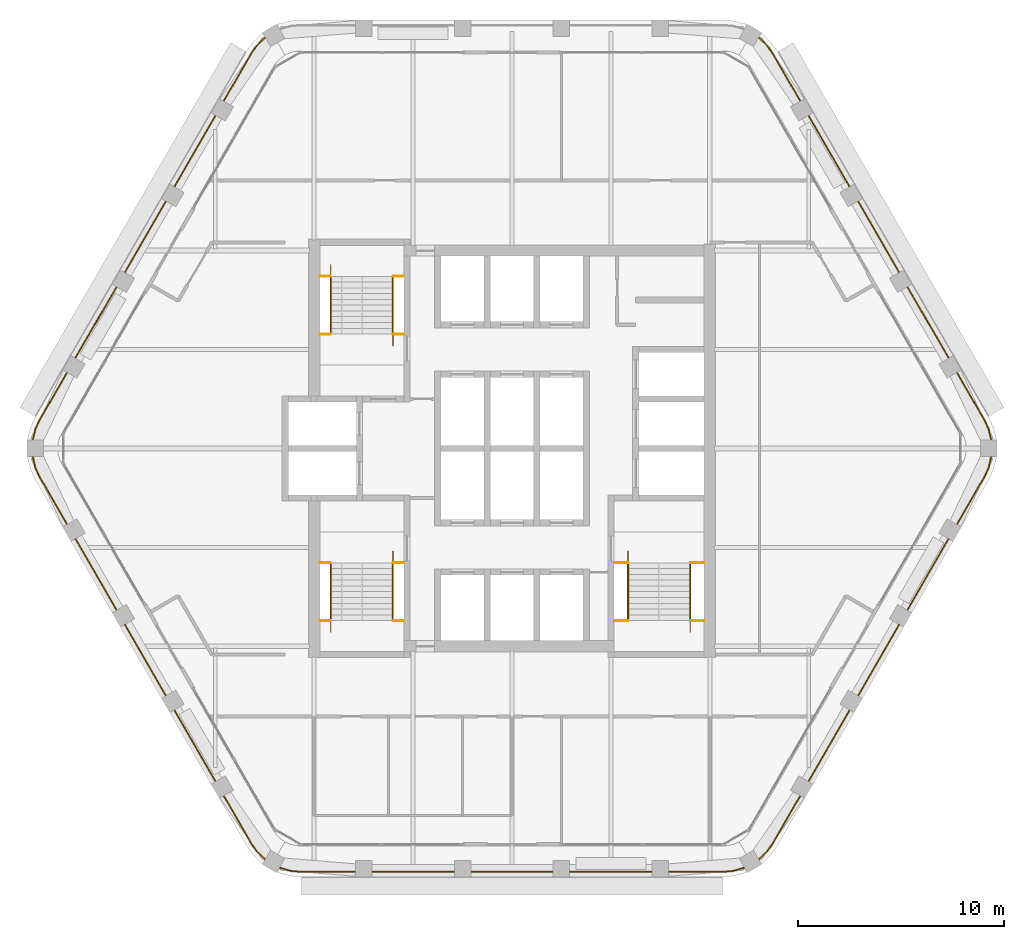
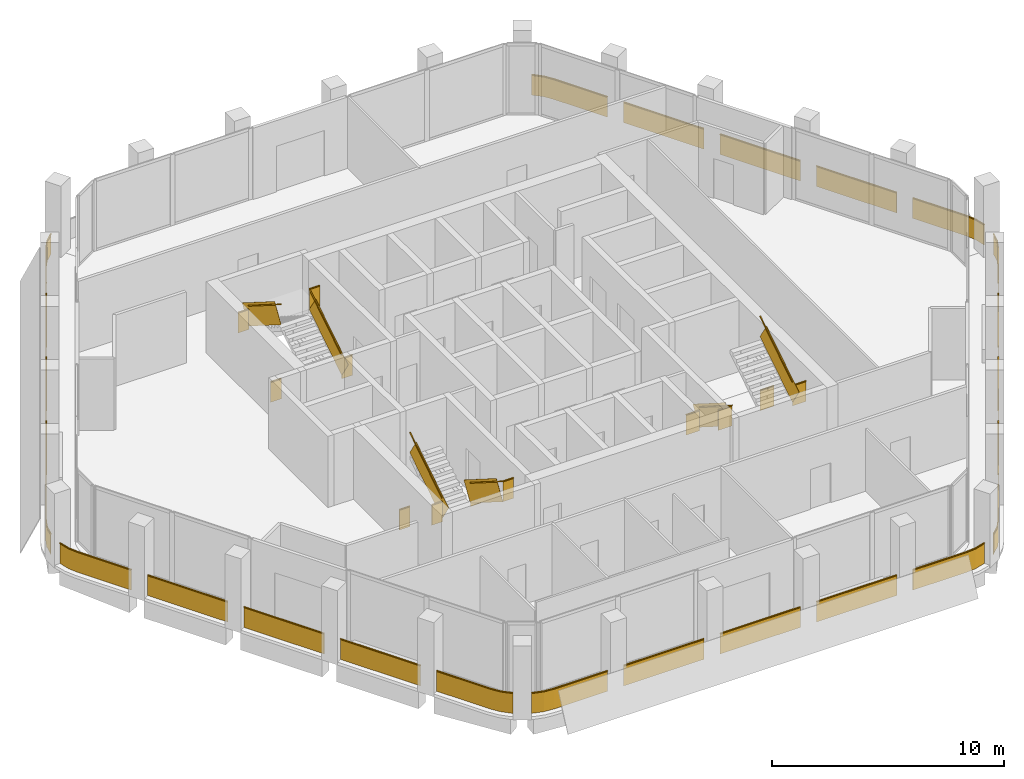
# One storey, part 12 of 13: 11 railings.
"""IFC4 building model written with IfcOpenShell, lengths in metres."""

from ifc_helpers import new_model, si_unit, direction, frame, frame_2d, origin, origin_2d, place, context, subcontext, project, spatial, rectangle, extrude, material, type_object, element, save


model = new_model("IFC4")

# Units and contexts
model_context = context("Model", 3, precision=1e-05, world=origin(), true_north=direction((0.0, 1.0)))
body_context = subcontext(model_context, "Body", "Model", "MODEL_VIEW")
ifc_project = project(units=[si_unit("LENGTHUNIT", "METRE"), si_unit("AREAUNIT", "SQUARE_METRE"), si_unit("VOLUMEUNIT", "CUBIC_METRE"), si_unit("PLANEANGLEUNIT", "RADIAN"), si_unit("MASSUNIT", "GRAM", prefix="KILO")], contexts=[model_context])

# Site, building, storey
site_placement = place(None, origin())
site = spatial("IfcSite", under=ifc_project, at=site_placement, CompositionType="ELEMENT")
building_placement = place(site_placement, origin())
building = spatial("IfcBuilding", under=site, at=building_placement, Name="Kolab Exchange Tower", CompositionType="ELEMENT")
storey_placement = place(building_placement, frame((0.0, 0.0, 273.5)))
storey = spatial("IfcBuildingStorey", under=building, at=storey_placement, Name="L61", CompositionType="ELEMENT", Elevation=273.5)

# Railings
ifc_material_1 = material(Name="Stainless steel 316", Category="steel")
railing_type_1 = type_object("IfcRailingType", Name="GUARD 1100", PredefinedType="GUARDRAIL", material=ifc_material_1)
railing_1_placement = place(storey_placement, frame((-9.324951171875, 5.550048828125, 0.0)))
element("IfcRailing", 1, at=railing_1_placement, inside=storey, type_object=railing_type_1, Name="Guard ST1", PredefinedType="GUARDRAIL", context=body_context, shape_type="SweptSolid", body=[
    extrude(rectangle(XDim=0.05, YDim=0.05, at=origin_2d()), frame((0.0, 0.0, 1.0751953125), z_axis=(1.0, 0.0, 0.0), x_axis=(0.0, 1.0, 0.0)), (0.0, 0.0, 1.0), 0.52734375),
    extrude(rectangle(XDim=0.012, YDim=1.05009765625, at=frame_2d((0.0, 0.525146484375))), frame((0.0, 0.0, 0.0), z_axis=(1.0, 0.0, 0.0), x_axis=(0.0, 1.0, 0.0)), (0.0, 0.0, 1.0), 0.52734375),
    extrude(rectangle(XDim=0.05, YDim=0.05, at=origin_2d()), frame((3.54736328125, 0.0, 1.0751953125), z_axis=(1.0, 0.0, 0.0), x_axis=(0.0, 1.0, 0.0)), (0.0, 0.0, 1.0), 0.527587890625),
    extrude(rectangle(XDim=0.012, YDim=1.05009765625, at=frame_2d((0.0, 0.525146484375))), frame((3.54736328125, 0.0, 0.0), z_axis=(1.0, 0.0, 0.0), x_axis=(0.0, 1.0, 0.0)), (0.0, 0.0, 1.0), 0.527587890625),
    extrude(rectangle(XDim=0.05, YDim=0.05, at=origin_2d()), frame((0.0, 2.800048828125, 3.025146484375), z_axis=(1.0, 0.0, 0.0), x_axis=(0.0, 1.0, 0.0)), (0.0, 0.0, 1.0), 0.52734375),
    extrude(rectangle(XDim=0.012, YDim=1.05009765625, at=frame_2d((0.0, 0.525146484375))), frame((0.0, 2.800048828125, 1.949951171875), z_axis=(1.0, 0.0, 0.0), x_axis=(0.0, 1.0, 0.0)), (0.0, 0.0, 1.0), 0.52734375),
    extrude(rectangle(XDim=0.05, YDim=0.05, at=origin_2d()), frame((3.54736328125, 2.800048828125, 3.025146484375), z_axis=(1.0, 0.0, 0.0), x_axis=(0.0, 1.0, 0.0)), (0.0, 0.0, 1.0), 0.527587890625),
    extrude(rectangle(XDim=0.012, YDim=1.05009765625, at=frame_2d((0.0, 0.525146484375))), frame((3.54736328125, 2.800048828125, 1.949951171875), z_axis=(1.0, 0.0, 0.0), x_axis=(0.0, 1.0, 0.0)), (0.0, 0.0, 1.0), 0.527587890625),
])
railing_2_placement = place(storey_placement, frame((-5.777587890625, 5.550048828125, 0.17724609375)))
element("IfcRailing", 2, at=railing_2_placement, inside=storey, type_object=railing_type_1, Name="Handrail guard ST1", PredefinedType="GUARDRAIL", context=body_context, shape_type="SweptSolid", body=[
    extrude(rectangle(XDim=0.05, YDim=0.05, at=origin_2d()), frame((0.0, 0.0, 1.0751953125), z_axis=(0.0, 0.844908973607, 0.534910110503), x_axis=(-1.0, 0.0, 0.0)), (0.0, 0.0, 1.0), 3.31396484375),
    extrude(rectangle(XDim=0.012, YDim=1.05009765625, at=frame_2d((0.0, 0.525146484375))), frame((0.0, 0.0, 0.0), z_axis=(0.0, 0.844908973607, 0.534910110503), x_axis=(-1.0, 0.0, 0.0)), (0.0, 0.0, 1.0), 3.31396484375),
    extrude(rectangle(XDim=0.05, YDim=0.05, at=origin_2d()), frame((-3.02001953125, 2.800048828125, 3.025146484375), z_axis=(0.0, -0.844908973607, 0.534910110503), x_axis=(1.0, 0.0, 0.0)), (0.0, 0.0, 1.0), 3.31396484375),
    extrude(rectangle(XDim=0.012, YDim=1.05009765625, at=frame_2d((0.0, 0.525146484375))), frame((-3.02001953125, 2.800048828125, 1.949951171875), z_axis=(0.0, -0.844908973607, 0.534910110503), x_axis=(1.0, 0.0, 0.0)), (0.0, 0.0, 1.0), 3.31396484375),
])
railing_3_placement = place(storey_placement, frame((-9.324951171875, -5.550048828125, 0.0)))
element("IfcRailing", 3, at=railing_3_placement, inside=storey, type_object=railing_type_1, Name="Guard ST3", PredefinedType="GUARDRAIL", context=body_context, shape_type="SweptSolid", body=[
    extrude(rectangle(XDim=0.05, YDim=0.05, at=origin_2d()), frame((0.0, 0.0, 1.0751953125), z_axis=(1.0, 0.0, 0.0), x_axis=(0.0, 1.0, 0.0)), (0.0, 0.0, 1.0), 0.52734375),
    extrude(rectangle(XDim=0.012, YDim=1.05009765625, at=frame_2d((0.0, 0.525146484375))), frame((0.0, 0.0, 0.0), z_axis=(1.0, 0.0, 0.0), x_axis=(0.0, 1.0, 0.0)), (0.0, 0.0, 1.0), 0.52734375),
    extrude(rectangle(XDim=0.05, YDim=0.05, at=origin_2d()), frame((3.54736328125, 0.0, 1.0751953125), z_axis=(1.0, 0.0, 0.0), x_axis=(0.0, 1.0, 0.0)), (0.0, 0.0, 1.0), 0.527587890625),
    extrude(rectangle(XDim=0.012, YDim=1.05009765625, at=frame_2d((0.0, 0.525146484375))), frame((3.54736328125, 0.0, 0.0), z_axis=(1.0, 0.0, 0.0), x_axis=(0.0, 1.0, 0.0)), (0.0, 0.0, 1.0), 0.527587890625),
    extrude(rectangle(XDim=0.05, YDim=0.05, at=origin_2d()), frame((0.0, -2.800048828125, 3.025146484375), z_axis=(1.0, 0.0, 0.0), x_axis=(0.0, 1.0, 0.0)), (0.0, 0.0, 1.0), 0.52734375),
    extrude(rectangle(XDim=0.012, YDim=1.05009765625, at=frame_2d((0.0, 0.525146484375))), frame((0.0, -2.800048828125, 1.949951171875), z_axis=(1.0, 0.0, 0.0), x_axis=(0.0, 1.0, 0.0)), (0.0, 0.0, 1.0), 0.52734375),
    extrude(rectangle(XDim=0.05, YDim=0.05, at=origin_2d()), frame((3.54736328125, -2.800048828125, 3.025146484375), z_axis=(1.0, 0.0, 0.0), x_axis=(0.0, 1.0, 0.0)), (0.0, 0.0, 1.0), 0.527587890625),
    extrude(rectangle(XDim=0.012, YDim=1.05009765625, at=frame_2d((0.0, 0.525146484375))), frame((3.54736328125, -2.800048828125, 1.949951171875), z_axis=(1.0, 0.0, 0.0), x_axis=(0.0, 1.0, 0.0)), (0.0, 0.0, 1.0), 0.527587890625),
])
railing_4_placement = place(storey_placement, frame((-5.777587890625, -5.550048828125, 0.17724609375)))
element("IfcRailing", 4, at=railing_4_placement, inside=storey, type_object=railing_type_1, Name="Handrail guard ST3", PredefinedType="GUARDRAIL", context=body_context, shape_type="SweptSolid", body=[
    extrude(rectangle(XDim=0.05, YDim=0.05, at=origin_2d()), frame((0.0, 0.0, 1.0751953125), z_axis=(0.0, -0.844908973607, 0.534910110503), x_axis=(1.0, 0.0, 0.0)), (0.0, 0.0, 1.0), 3.31396484375),
    extrude(rectangle(XDim=0.012, YDim=1.05009765625, at=frame_2d((0.0, 0.525146484375))), frame((0.0, 0.0, 0.0), z_axis=(0.0, -0.844908973607, 0.534910110503), x_axis=(1.0, 0.0, 0.0)), (0.0, 0.0, 1.0), 3.31396484375),
    extrude(rectangle(XDim=0.05, YDim=0.05, at=origin_2d()), frame((-3.02001953125, -2.800048828125, 3.025146484375), z_axis=(0.0, 0.844908973607, 0.534910110503), x_axis=(-1.0, 0.0, 0.0)), (0.0, 0.0, 1.0), 3.31396484375),
    extrude(rectangle(XDim=0.012, YDim=1.05009765625, at=frame_2d((0.0, 0.525146484375))), frame((-3.02001953125, -2.800048828125, 1.949951171875), z_axis=(0.0, 0.844908973607, 0.534910110503), x_axis=(-1.0, 0.0, 0.0)), (0.0, 0.0, 1.0), 3.31396484375),
])
railing_5_placement = place(storey_placement, frame((4.949951171875, -5.550048828125, 0.0)))
element("IfcRailing", 5, at=railing_5_placement, inside=storey, type_object=railing_type_1, Name="Guard ST2", PredefinedType="GUARDRAIL", context=body_context, shape_type="SweptSolid", body=[
    extrude(rectangle(XDim=0.05, YDim=0.05, at=origin_2d()), frame((0.0, 0.0, 1.0751953125), z_axis=(1.0, 0.0, 0.0), x_axis=(0.0, 1.0, 0.0)), (0.0, 0.0, 1.0), 0.677490234375),
    extrude(rectangle(XDim=0.012, YDim=1.05009765625, at=frame_2d((0.0, 0.525146484375))), frame((0.0, 0.0, 0.0), z_axis=(1.0, 0.0, 0.0), x_axis=(0.0, 1.0, 0.0)), (0.0, 0.0, 1.0), 0.677490234375),
    extrude(rectangle(XDim=0.05, YDim=0.05, at=origin_2d()), frame((3.697509765625, 0.0, 1.0751953125), z_axis=(1.0, 0.0, 0.0), x_axis=(0.0, 1.0, 0.0)), (0.0, 0.0, 1.0), 0.677490234375),
    extrude(rectangle(XDim=0.012, YDim=1.05009765625, at=frame_2d((0.0, 0.525146484375))), frame((3.697509765625, 0.0, 0.0), z_axis=(1.0, 0.0, 0.0), x_axis=(0.0, 1.0, 0.0)), (0.0, 0.0, 1.0), 0.677490234375),
    extrude(rectangle(XDim=0.05, YDim=0.05, at=origin_2d()), frame((0.0, -2.800048828125, 3.025146484375), z_axis=(1.0, 0.0, 0.0), x_axis=(0.0, 1.0, 0.0)), (0.0, 0.0, 1.0), 0.677490234375),
    extrude(rectangle(XDim=0.012, YDim=1.05009765625, at=frame_2d((0.0, 0.525146484375))), frame((0.0, -2.800048828125, 1.949951171875), z_axis=(1.0, 0.0, 0.0), x_axis=(0.0, 1.0, 0.0)), (0.0, 0.0, 1.0), 0.677490234375),
    extrude(rectangle(XDim=0.05, YDim=0.05, at=origin_2d()), frame((3.697509765625, -2.800048828125, 3.025146484375), z_axis=(1.0, 0.0, 0.0), x_axis=(0.0, 1.0, 0.0)), (0.0, 0.0, 1.0), 0.677490234375),
    extrude(rectangle(XDim=0.012, YDim=1.05009765625, at=frame_2d((0.0, 0.525146484375))), frame((3.697509765625, -2.800048828125, 1.949951171875), z_axis=(1.0, 0.0, 0.0), x_axis=(0.0, 1.0, 0.0)), (0.0, 0.0, 1.0), 0.677490234375),
])
railing_6_placement = place(storey_placement, frame((5.62744140625, -5.550048828125, 0.17724609375)))
element("IfcRailing", 6, at=railing_6_placement, inside=storey, type_object=railing_type_1, Name="Handrail guard ST2", PredefinedType="GUARDRAIL", context=body_context, shape_type="SweptSolid", body=[
    extrude(rectangle(XDim=0.05, YDim=0.05, at=origin_2d()), frame((0.0, 0.0, 1.0751953125), z_axis=(0.0, -0.844908973607, 0.534910110503), x_axis=(1.0, 0.0, 0.0)), (0.0, 0.0, 1.0), 3.31396484375),
    extrude(rectangle(XDim=0.012, YDim=1.05009765625, at=frame_2d((0.0, 0.525146484375))), frame((0.0, 0.0, 0.0), z_axis=(0.0, -0.844908973607, 0.534910110503), x_axis=(1.0, 0.0, 0.0)), (0.0, 0.0, 1.0), 3.31396484375),
    extrude(rectangle(XDim=0.05, YDim=0.05, at=origin_2d()), frame((3.02001953125, -2.800048828125, 3.025146484375), z_axis=(0.0, 0.844908973607, 0.534910110503), x_axis=(-1.0, 0.0, 0.0)), (0.0, 0.0, 1.0), 3.31396484375),
    extrude(rectangle(XDim=0.012, YDim=1.05009765625, at=frame_2d((0.0, 0.525146484375))), frame((3.02001953125, -2.800048828125, 1.949951171875), z_axis=(0.0, 0.844908973607, 0.534910110503), x_axis=(-1.0, 0.0, 0.0)), (0.0, 0.0, 1.0), 3.31396484375),
])
ifc_material_2 = material(Name="Steel S235", Category="steel")
railing_type_2 = type_object("IfcRailingType", Name="GUARD 1100 GLASS BALUSTRADE AND STEEL TOP RAIL", PredefinedType="GUARDRAIL", material=ifc_material_2)
railing_7_placement = place(storey_placement, frame((23.2509765625, 0.3984375, 0.0)))
element("IfcRailing", 7, at=railing_7_placement, inside=storey, type_object=railing_type_2, Name="Guard", PredefinedType="GUARDRAIL", context=body_context, shape_type="SweptSolid", body=[
    extrude(rectangle(XDim=0.05, YDim=0.05, at=origin_2d()), frame((0.0, 0.0, 1.0751953125), z_axis=(-0.234597748196, 0.972092534968, 0.0), x_axis=(-0.972092534968, -0.234597748196, 0.0)), (0.0, 0.0, 1.0), 0.557861328125),
    extrude(rectangle(XDim=0.012, YDim=1.05009765625, at=frame_2d((0.0, 0.525146484375))), frame((0.0, 0.0, 0.0), z_axis=(-0.234597748196, 0.972092534968, 0.0), x_axis=(-0.972092534968, -0.234597748196, 0.0)), (0.0, 0.0, 1.0), 0.557861328125),
    extrude(rectangle(XDim=0.05, YDim=0.05, at=origin_2d()), frame((-0.130859375, 0.542236328125, 1.0751953125), z_axis=(-0.422801802984, 0.906222177721, 0.0), x_axis=(-0.906222177721, -0.422801802984, 0.0)), (0.0, 0.0, 1.0), 0.479248046875),
    extrude(rectangle(XDim=0.012, YDim=1.05009765625, at=frame_2d((0.0, 0.525146484375))), frame((-0.130859375, 0.542236328125, 0.0), z_axis=(-0.422801802984, 0.906222177721, 0.0), x_axis=(-0.906222177721, -0.422801802984, 0.0)), (0.0, 0.0, 1.0), 0.479248046875),
    extrude(rectangle(XDim=0.05, YDim=0.05, at=origin_2d()), frame((-0.33349609375, 0.9765625, 1.0751953125), z_axis=(-0.499997052475, 0.866027105532, 0.0), x_axis=(-0.866027105532, -0.499997052475, 0.0)), (0.0, 0.0, 1.0), 2.66796875),
    extrude(rectangle(XDim=0.012, YDim=1.05009765625, at=frame_2d((0.0, 0.525146484375))), frame((-0.33349609375, 0.9765625, 0.0), z_axis=(-0.499997052475, 0.866027105532, 0.0), x_axis=(-0.866027105532, -0.499997052475, 0.0)), (0.0, 0.0, 1.0), 2.66796875),
    extrude(rectangle(XDim=0.05, YDim=0.05, at=origin_2d()), frame((-2.0673828125, 3.97998046875, 1.0751953125), z_axis=(-0.49999894854, 0.866026010844, 0.0), x_axis=(-0.866026010844, -0.49999894854, 0.0)), (0.0, 0.0, 1.0), 4.0),
    extrude(rectangle(XDim=0.012, YDim=1.05009765625, at=frame_2d((0.0, 0.525146484375))), frame((-2.0673828125, 3.97998046875, 0.0), z_axis=(-0.49999894854, 0.866026010844, 0.0), x_axis=(-0.866026010844, -0.49999894854, 0.0)), (0.0, 0.0, 1.0), 4.0),
    extrude(rectangle(XDim=0.05, YDim=0.05, at=origin_2d()), frame((-4.467529296875, 8.13671875, 1.0751953125), z_axis=(-0.49999894854, 0.866026010844, 0.0), x_axis=(-0.866026010844, -0.49999894854, 0.0)), (0.0, 0.0, 1.0), 4.0),
    extrude(rectangle(XDim=0.012, YDim=1.05009765625, at=frame_2d((0.0, 0.525146484375))), frame((-4.467529296875, 8.13671875, 0.0), z_axis=(-0.49999894854, 0.866026010844, 0.0), x_axis=(-0.866026010844, -0.49999894854, 0.0)), (0.0, 0.0, 1.0), 4.0),
    extrude(rectangle(XDim=0.05, YDim=0.05, at=origin_2d()), frame((-6.867431640625, 12.293701171875, 1.0751953125), z_axis=(-0.49999894854, 0.866026010844, 0.0), x_axis=(-0.866026010844, -0.49999894854, 0.0)), (0.0, 0.0, 1.0), 4.0),
    extrude(rectangle(XDim=0.012, YDim=1.05009765625, at=frame_2d((0.0, 0.525146484375))), frame((-6.867431640625, 12.293701171875, 0.0), z_axis=(-0.49999894854, 0.866026010844, 0.0), x_axis=(-0.866026010844, -0.49999894854, 0.0)), (0.0, 0.0, 1.0), 4.0),
    extrude(rectangle(XDim=0.05, YDim=0.05, at=origin_2d()), frame((-9.267578125, 16.45068359375, 1.0751953125), z_axis=(-0.499997052475, 0.866027105532, 0.0), x_axis=(-0.866027105532, -0.499997052475, 0.0)), (0.0, 0.0, 1.0), 2.66796875),
    extrude(rectangle(XDim=0.012, YDim=1.05009765625, at=frame_2d((0.0, 0.525146484375))), frame((-9.267578125, 16.45068359375, 0.0), z_axis=(-0.499997052475, 0.866027105532, 0.0), x_axis=(-0.866027105532, -0.499997052475, 0.0)), (0.0, 0.0, 1.0), 2.66796875),
    extrude(rectangle(XDim=0.05, YDim=0.05, at=origin_2d()), frame((-10.6015625, 18.76123046875, 1.0751953125), z_axis=(-0.573599091554, 0.819136180478, 0.0), x_axis=(-0.819136180478, -0.573599091554, 0.0)), (0.0, 0.0, 1.0), 0.479248046875),
    extrude(rectangle(XDim=0.012, YDim=1.05009765625, at=frame_2d((0.0, 0.525146484375))), frame((-10.6015625, 18.76123046875, 0.0), z_axis=(-0.573599091554, 0.819136180478, 0.0), x_axis=(-0.819136180478, -0.573599091554, 0.0)), (0.0, 0.0, 1.0), 0.479248046875),
    extrude(rectangle(XDim=0.05, YDim=0.05, at=origin_2d()), frame((-10.87646484375, 19.15380859375, 1.0751953125), z_axis=(-0.724189990991, 0.689600505327, 0.0), x_axis=(-0.689600505327, -0.724189990991, 0.0)), (0.0, 0.0, 1.0), 0.5576171875),
    extrude(rectangle(XDim=0.012, YDim=1.05009765625, at=frame_2d((0.0, 0.525146484375))), frame((-10.87646484375, 19.15380859375, 0.0), z_axis=(-0.724189990991, 0.689600505327, 0.0), x_axis=(-0.689600505327, -0.724189990991, 0.0)), (0.0, 0.0, 1.0), 0.5576171875),
])
railing_8_placement = place(storey_placement, frame((11.970703125, -19.936767578125, 0.0)))
element("IfcRailing", 8, at=railing_8_placement, inside=storey, type_object=railing_type_2, Name="Guard", PredefinedType="GUARDRAIL", context=body_context, shape_type="SweptSolid", body=[
    extrude(rectangle(XDim=0.05, YDim=0.05, at=origin_2d()), frame((0.0, 0.0, 1.0751953125), z_axis=(0.724189990991, 0.689600505327, 0.0), x_axis=(-0.689600505327, 0.724189990991, 0.0)), (0.0, 0.0, 1.0), 0.5576171875),
    extrude(rectangle(XDim=0.012, YDim=1.05009765625, at=frame_2d((0.0, 0.525146484375))), frame((0.0, 0.0, 0.0), z_axis=(0.724189990991, 0.689600505327, 0.0), x_axis=(-0.689600505327, 0.724189990991, 0.0)), (0.0, 0.0, 1.0), 0.5576171875),
    extrude(rectangle(XDim=0.05, YDim=0.05, at=origin_2d()), frame((0.40380859375, 0.384521484375, 1.0751953125), z_axis=(0.573599091554, 0.819136180478, 0.0), x_axis=(-0.819136180478, 0.573599091554, 0.0)), (0.0, 0.0, 1.0), 0.479248046875),
    extrude(rectangle(XDim=0.012, YDim=1.05009765625, at=frame_2d((0.0, 0.525146484375))), frame((0.40380859375, 0.384521484375, 0.0), z_axis=(0.573599091554, 0.819136180478, 0.0), x_axis=(-0.819136180478, 0.573599091554, 0.0)), (0.0, 0.0, 1.0), 0.479248046875),
    extrude(rectangle(XDim=0.05, YDim=0.05, at=origin_2d()), frame((0.6787109375, 0.777099609375, 1.0751953125), z_axis=(0.499997052475, 0.866027105532, 0.0), x_axis=(-0.866027105532, 0.499997052475, 0.0)), (0.0, 0.0, 1.0), 2.66796875),
    extrude(rectangle(XDim=0.012, YDim=1.05009765625, at=frame_2d((0.0, 0.525146484375))), frame((0.6787109375, 0.777099609375, 0.0), z_axis=(0.499997052475, 0.866027105532, 0.0), x_axis=(-0.866027105532, 0.499997052475, 0.0)), (0.0, 0.0, 1.0), 2.66796875),
    extrude(rectangle(XDim=0.05, YDim=0.05, at=origin_2d()), frame((2.412841796875, 3.780517578125, 1.0751953125), z_axis=(0.49999894854, 0.866026010844, 0.0), x_axis=(-0.866026010844, 0.49999894854, 0.0)), (0.0, 0.0, 1.0), 4.0),
    extrude(rectangle(XDim=0.012, YDim=1.05009765625, at=frame_2d((0.0, 0.525146484375))), frame((2.412841796875, 3.780517578125, 0.0), z_axis=(0.49999894854, 0.866026010844, 0.0), x_axis=(-0.866026010844, 0.49999894854, 0.0)), (0.0, 0.0, 1.0), 4.0),
    extrude(rectangle(XDim=0.05, YDim=0.05, at=origin_2d()), frame((4.812744140625, 7.9375, 1.0751953125), z_axis=(0.49999894854, 0.866026010844, 0.0), x_axis=(-0.866026010844, 0.49999894854, 0.0)), (0.0, 0.0, 1.0), 4.0),
    extrude(rectangle(XDim=0.012, YDim=1.05009765625, at=frame_2d((0.0, 0.525146484375))), frame((4.812744140625, 7.9375, 0.0), z_axis=(0.49999894854, 0.866026010844, 0.0), x_axis=(-0.866026010844, 0.49999894854, 0.0)), (0.0, 0.0, 1.0), 4.0),
    extrude(rectangle(XDim=0.05, YDim=0.05, at=origin_2d()), frame((7.212890625, 12.09423828125, 1.0751953125), z_axis=(0.49999894854, 0.866026010844, 0.0), x_axis=(-0.866026010844, 0.49999894854, 0.0)), (0.0, 0.0, 1.0), 4.0),
    extrude(rectangle(XDim=0.012, YDim=1.05009765625, at=frame_2d((0.0, 0.525146484375))), frame((7.212890625, 12.09423828125, 0.0), z_axis=(0.49999894854, 0.866026010844, 0.0), x_axis=(-0.866026010844, 0.49999894854, 0.0)), (0.0, 0.0, 1.0), 4.0),
    extrude(rectangle(XDim=0.05, YDim=0.05, at=origin_2d()), frame((9.61279296875, 16.251220703125, 1.0751953125), z_axis=(0.499997052475, 0.866027105532, 0.0), x_axis=(-0.866027105532, 0.499997052475, 0.0)), (0.0, 0.0, 1.0), 2.66796875),
    extrude(rectangle(XDim=0.012, YDim=1.05009765625, at=frame_2d((0.0, 0.525146484375))), frame((9.61279296875, 16.251220703125, 0.0), z_axis=(0.499997052475, 0.866027105532, 0.0), x_axis=(-0.866027105532, 0.499997052475, 0.0)), (0.0, 0.0, 1.0), 2.66796875),
    extrude(rectangle(XDim=0.05, YDim=0.05, at=origin_2d()), frame((10.94677734375, 18.561767578125, 1.0751953125), z_axis=(0.422801802984, 0.906222177721, 0.0), x_axis=(-0.906222177721, 0.422801802984, 0.0)), (0.0, 0.0, 1.0), 0.479248046875),
    extrude(rectangle(XDim=0.012, YDim=1.05009765625, at=frame_2d((0.0, 0.525146484375))), frame((10.94677734375, 18.561767578125, 0.0), z_axis=(0.422801802984, 0.906222177721, 0.0), x_axis=(-0.906222177721, 0.422801802984, 0.0)), (0.0, 0.0, 1.0), 0.479248046875),
    extrude(rectangle(XDim=0.05, YDim=0.05, at=origin_2d()), frame((11.1494140625, 18.99609375, 1.0751953125), z_axis=(0.234597748196, 0.972092534968, 0.0), x_axis=(-0.972092534968, 0.234597748196, 0.0)), (0.0, 0.0, 1.0), 0.557861328125),
    extrude(rectangle(XDim=0.012, YDim=1.05009765625, at=frame_2d((0.0, 0.525146484375))), frame((11.1494140625, 18.99609375, 0.0), z_axis=(0.234597748196, 0.972092534968, 0.0), x_axis=(-0.972092534968, 0.234597748196, 0.0)), (0.0, 0.0, 1.0), 0.557861328125),
])
railing_9_placement = place(storey_placement, frame((-11.280517578125, -20.335205078125, 0.0)))
element("IfcRailing", 9, at=railing_9_placement, inside=storey, type_object=railing_type_2, Name="Guard", PredefinedType="GUARDRAIL", context=body_context, shape_type="SweptSolid", body=[
    extrude(rectangle(XDim=0.05, YDim=0.05, at=origin_2d()), frame((0.0, 0.0, 1.0751953125), z_axis=(0.959212061764, -0.282687496304, 0.0), x_axis=(0.282687496304, 0.959212061764, 0.0)), (0.0, 0.0, 1.0), 0.557861328125),
    extrude(rectangle(XDim=0.012, YDim=1.05009765625, at=frame_2d((0.0, 0.525146484375))), frame((0.0, 0.0, 0.0), z_axis=(0.959212061764, -0.282687496304, 0.0), x_axis=(0.282687496304, 0.959212061764, 0.0)), (0.0, 0.0, 1.0), 0.557861328125),
    extrude(rectangle(XDim=0.05, YDim=0.05, at=origin_2d()), frame((0.53515625, -0.15771484375, 1.0751953125), z_axis=(0.996196482496, -0.087135344505, 0.0), x_axis=(0.087135344505, 0.996196482496, 0.0)), (0.0, 0.0, 1.0), 0.47900390625),
    extrude(rectangle(XDim=0.012, YDim=1.05009765625, at=frame_2d((0.0, 0.525146484375))), frame((0.53515625, -0.15771484375, 0.0), z_axis=(0.996196482496, -0.087135344505, 0.0), x_axis=(0.087135344505, 0.996196482496, 0.0)), (0.0, 0.0, 1.0), 0.47900390625),
    extrude(rectangle(XDim=0.05, YDim=0.05, at=origin_2d()), frame((1.012451171875, -0.199462890625, 1.0751953125), z_axis=(1.0, 0.0, 0.0), x_axis=(0.0, 1.0, 0.0)), (0.0, 0.0, 1.0), 2.66796875),
    extrude(rectangle(XDim=0.012, YDim=1.05009765625, at=frame_2d((0.0, 0.525146484375))), frame((1.012451171875, -0.199462890625, 0.0), z_axis=(1.0, 0.0, 0.0), x_axis=(0.0, 1.0, 0.0)), (0.0, 0.0, 1.0), 2.66796875),
    extrude(rectangle(XDim=0.05, YDim=0.05, at=origin_2d()), frame((4.48046875, -0.199462890625, 1.0751953125), z_axis=(1.0, 0.0, 0.0), x_axis=(0.0, 1.0, 0.0)), (0.0, 0.0, 1.0), 4.0),
    extrude(rectangle(XDim=0.012, YDim=1.05009765625, at=frame_2d((0.0, 0.525146484375))), frame((4.48046875, -0.199462890625, 0.0), z_axis=(1.0, 0.0, 0.0), x_axis=(0.0, 1.0, 0.0)), (0.0, 0.0, 1.0), 4.0),
    extrude(rectangle(XDim=0.05, YDim=0.05, at=origin_2d()), frame((9.280517578125, -0.199462890625, 1.0751953125), z_axis=(1.0, 0.0, 0.0), x_axis=(0.0, 1.0, 0.0)), (0.0, 0.0, 1.0), 4.0),
    extrude(rectangle(XDim=0.012, YDim=1.05009765625, at=frame_2d((0.0, 0.525146484375))), frame((9.280517578125, -0.199462890625, 0.0), z_axis=(1.0, 0.0, 0.0), x_axis=(0.0, 1.0, 0.0)), (0.0, 0.0, 1.0), 4.0),
    extrude(rectangle(XDim=0.05, YDim=0.05, at=origin_2d()), frame((14.08056640625, -0.199462890625, 1.0751953125), z_axis=(1.0, 0.0, 0.0), x_axis=(0.0, 1.0, 0.0)), (0.0, 0.0, 1.0), 4.0),
    extrude(rectangle(XDim=0.012, YDim=1.05009765625, at=frame_2d((0.0, 0.525146484375))), frame((14.08056640625, -0.199462890625, 0.0), z_axis=(1.0, 0.0, 0.0), x_axis=(0.0, 1.0, 0.0)), (0.0, 0.0, 1.0), 4.0),
    extrude(rectangle(XDim=0.05, YDim=0.05, at=origin_2d()), frame((18.880615234375, -0.199462890625, 1.0751953125), z_axis=(1.0, 0.0, 0.0), x_axis=(0.0, 1.0, 0.0)), (0.0, 0.0, 1.0), 2.66796875),
    extrude(rectangle(XDim=0.012, YDim=1.05009765625, at=frame_2d((0.0, 0.525146484375))), frame((18.880615234375, -0.199462890625, 0.0), z_axis=(1.0, 0.0, 0.0), x_axis=(0.0, 1.0, 0.0)), (0.0, 0.0, 1.0), 2.66796875),
    extrude(rectangle(XDim=0.05, YDim=0.05, at=origin_2d()), frame((21.548583984375, -0.199462890625, 1.0751953125), z_axis=(0.996196482496, 0.087135344505, 0.0), x_axis=(-0.087135344505, 0.996196482496, 0.0)), (0.0, 0.0, 1.0), 0.47900390625),
    extrude(rectangle(XDim=0.012, YDim=1.05009765625, at=frame_2d((0.0, 0.525146484375))), frame((21.548583984375, -0.199462890625, 0.0), z_axis=(0.996196482496, 0.087135344505, 0.0), x_axis=(-0.087135344505, 0.996196482496, 0.0)), (0.0, 0.0, 1.0), 0.47900390625),
    extrude(rectangle(XDim=0.05, YDim=0.05, at=origin_2d()), frame((22.02587890625, -0.15771484375, 1.0751953125), z_axis=(0.959212061764, 0.282687496304, 0.0), x_axis=(-0.282687496304, 0.959212061764, 0.0)), (0.0, 0.0, 1.0), 0.557861328125),
    extrude(rectangle(XDim=0.012, YDim=1.05009765625, at=frame_2d((0.0, 0.525146484375))), frame((22.02587890625, -0.15771484375, 0.0), z_axis=(0.959212061764, 0.282687496304, 0.0), x_axis=(-0.282687496304, 0.959212061764, 0.0)), (0.0, 0.0, 1.0), 0.557861328125),
])
railing_10_placement = place(storey_placement, frame((-23.2509765625, -0.3984375, 0.0)))
element("IfcRailing", 10, at=railing_10_placement, inside=storey, type_object=railing_type_2, Name="Guard", PredefinedType="GUARDRAIL", context=body_context, shape_type="SweptSolid", body=[
    extrude(rectangle(XDim=0.05, YDim=0.05, at=origin_2d()), frame((0.0, 0.0, 1.0751953125), z_axis=(0.234597748196, -0.972092534968, 0.0), x_axis=(0.972092534968, 0.234597748196, 0.0)), (0.0, 0.0, 1.0), 0.557861328125),
    extrude(rectangle(XDim=0.012, YDim=1.05009765625, at=frame_2d((0.0, 0.525146484375))), frame((0.0, 0.0, 0.0), z_axis=(0.234597748196, -0.972092534968, 0.0), x_axis=(0.972092534968, 0.234597748196, 0.0)), (0.0, 0.0, 1.0), 0.557861328125),
    extrude(rectangle(XDim=0.05, YDim=0.05, at=origin_2d()), frame((0.130859375, -0.542236328125, 1.0751953125), z_axis=(0.422801802984, -0.906222177721, 0.0), x_axis=(0.906222177721, 0.422801802984, 0.0)), (0.0, 0.0, 1.0), 0.479248046875),
    extrude(rectangle(XDim=0.012, YDim=1.05009765625, at=frame_2d((0.0, 0.525146484375))), frame((0.130859375, -0.542236328125, 0.0), z_axis=(0.422801802984, -0.906222177721, 0.0), x_axis=(0.906222177721, 0.422801802984, 0.0)), (0.0, 0.0, 1.0), 0.479248046875),
    extrude(rectangle(XDim=0.05, YDim=0.05, at=origin_2d()), frame((0.33349609375, -0.9765625, 1.0751953125), z_axis=(0.499997052475, -0.866027105532, 0.0), x_axis=(0.866027105532, 0.499997052475, 0.0)), (0.0, 0.0, 1.0), 2.66796875),
    extrude(rectangle(XDim=0.012, YDim=1.05009765625, at=frame_2d((0.0, 0.525146484375))), frame((0.33349609375, -0.9765625, 0.0), z_axis=(0.499997052475, -0.866027105532, 0.0), x_axis=(0.866027105532, 0.499997052475, 0.0)), (0.0, 0.0, 1.0), 2.66796875),
    extrude(rectangle(XDim=0.05, YDim=0.05, at=origin_2d()), frame((2.0673828125, -3.97998046875, 1.0751953125), z_axis=(0.49999894854, -0.866026010844, 0.0), x_axis=(0.866026010844, 0.49999894854, 0.0)), (0.0, 0.0, 1.0), 4.0),
    extrude(rectangle(XDim=0.012, YDim=1.05009765625, at=frame_2d((0.0, 0.525146484375))), frame((2.0673828125, -3.97998046875, 0.0), z_axis=(0.49999894854, -0.866026010844, 0.0), x_axis=(0.866026010844, 0.49999894854, 0.0)), (0.0, 0.0, 1.0), 4.0),
    extrude(rectangle(XDim=0.05, YDim=0.05, at=origin_2d()), frame((4.467529296875, -8.13671875, 1.0751953125), z_axis=(0.49999894854, -0.866026010844, 0.0), x_axis=(0.866026010844, 0.49999894854, 0.0)), (0.0, 0.0, 1.0), 4.0),
    extrude(rectangle(XDim=0.012, YDim=1.05009765625, at=frame_2d((0.0, 0.525146484375))), frame((4.467529296875, -8.13671875, 0.0), z_axis=(0.49999894854, -0.866026010844, 0.0), x_axis=(0.866026010844, 0.49999894854, 0.0)), (0.0, 0.0, 1.0), 4.0),
    extrude(rectangle(XDim=0.05, YDim=0.05, at=origin_2d()), frame((6.867431640625, -12.293701171875, 1.0751953125), z_axis=(0.49999894854, -0.866026010844, 0.0), x_axis=(0.866026010844, 0.49999894854, 0.0)), (0.0, 0.0, 1.0), 4.0),
    extrude(rectangle(XDim=0.012, YDim=1.05009765625, at=frame_2d((0.0, 0.525146484375))), frame((6.867431640625, -12.293701171875, 0.0), z_axis=(0.49999894854, -0.866026010844, 0.0), x_axis=(0.866026010844, 0.49999894854, 0.0)), (0.0, 0.0, 1.0), 4.0),
    extrude(rectangle(XDim=0.05, YDim=0.05, at=origin_2d()), frame((9.267578125, -16.45068359375, 1.0751953125), z_axis=(0.499997052475, -0.866027105532, 0.0), x_axis=(0.866027105532, 0.499997052475, 0.0)), (0.0, 0.0, 1.0), 2.66796875),
    extrude(rectangle(XDim=0.012, YDim=1.05009765625, at=frame_2d((0.0, 0.525146484375))), frame((9.267578125, -16.45068359375, 0.0), z_axis=(0.499997052475, -0.866027105532, 0.0), x_axis=(0.866027105532, 0.499997052475, 0.0)), (0.0, 0.0, 1.0), 2.66796875),
    extrude(rectangle(XDim=0.05, YDim=0.05, at=origin_2d()), frame((10.6015625, -18.76123046875, 1.0751953125), z_axis=(0.573599091554, -0.819136180478, 0.0), x_axis=(0.819136180478, 0.573599091554, 0.0)), (0.0, 0.0, 1.0), 0.479248046875),
    extrude(rectangle(XDim=0.012, YDim=1.05009765625, at=frame_2d((0.0, 0.525146484375))), frame((10.6015625, -18.76123046875, 0.0), z_axis=(0.573599091554, -0.819136180478, 0.0), x_axis=(0.819136180478, 0.573599091554, 0.0)), (0.0, 0.0, 1.0), 0.479248046875),
    extrude(rectangle(XDim=0.05, YDim=0.05, at=origin_2d()), frame((10.87646484375, -19.15380859375, 1.0751953125), z_axis=(0.724189990991, -0.689600505327, 0.0), x_axis=(0.689600505327, 0.724189990991, 0.0)), (0.0, 0.0, 1.0), 0.5576171875),
    extrude(rectangle(XDim=0.012, YDim=1.05009765625, at=frame_2d((0.0, 0.525146484375))), frame((10.87646484375, -19.15380859375, 0.0), z_axis=(0.724189990991, -0.689600505327, 0.0), x_axis=(0.689600505327, 0.724189990991, 0.0)), (0.0, 0.0, 1.0), 0.5576171875),
])
railing_11_placement = place(storey_placement, frame((-11.970703125, 19.936767578125, 0.0)))
element("IfcRailing", 11, at=railing_11_placement, inside=storey, type_object=railing_type_2, Name="Guard", PredefinedType="GUARDRAIL", context=body_context, shape_type="SweptSolid", body=[
    extrude(rectangle(XDim=0.05, YDim=0.05, at=origin_2d()), frame((0.0, 0.0, 1.0751953125), z_axis=(-0.724189990991, -0.689600505327, 0.0), x_axis=(0.689600505327, -0.724189990991, 0.0)), (0.0, 0.0, 1.0), 0.5576171875),
    extrude(rectangle(XDim=0.012, YDim=1.05009765625, at=frame_2d((0.0, 0.525146484375))), frame((0.0, 0.0, 0.0), z_axis=(-0.724189990991, -0.689600505327, 0.0), x_axis=(0.689600505327, -0.724189990991, 0.0)), (0.0, 0.0, 1.0), 0.5576171875),
    extrude(rectangle(XDim=0.05, YDim=0.05, at=origin_2d()), frame((-0.40380859375, -0.384521484375, 1.0751953125), z_axis=(-0.573599091554, -0.819136180478, 0.0), x_axis=(0.819136180478, -0.573599091554, 0.0)), (0.0, 0.0, 1.0), 0.479248046875),
    extrude(rectangle(XDim=0.012, YDim=1.05009765625, at=frame_2d((0.0, 0.525146484375))), frame((-0.40380859375, -0.384521484375, 0.0), z_axis=(-0.573599091554, -0.819136180478, 0.0), x_axis=(0.819136180478, -0.573599091554, 0.0)), (0.0, 0.0, 1.0), 0.479248046875),
    extrude(rectangle(XDim=0.05, YDim=0.05, at=origin_2d()), frame((-0.6787109375, -0.777099609375, 1.0751953125), z_axis=(-0.499997052475, -0.866027105532, 0.0), x_axis=(0.866027105532, -0.499997052475, 0.0)), (0.0, 0.0, 1.0), 2.66796875),
    extrude(rectangle(XDim=0.012, YDim=1.05009765625, at=frame_2d((0.0, 0.525146484375))), frame((-0.6787109375, -0.777099609375, 0.0), z_axis=(-0.499997052475, -0.866027105532, 0.0), x_axis=(0.866027105532, -0.499997052475, 0.0)), (0.0, 0.0, 1.0), 2.66796875),
    extrude(rectangle(XDim=0.05, YDim=0.05, at=origin_2d()), frame((-2.412841796875, -3.780517578125, 1.0751953125), z_axis=(-0.49999894854, -0.866026010844, 0.0), x_axis=(0.866026010844, -0.49999894854, 0.0)), (0.0, 0.0, 1.0), 4.0),
    extrude(rectangle(XDim=0.012, YDim=1.05009765625, at=frame_2d((0.0, 0.525146484375))), frame((-2.412841796875, -3.780517578125, 0.0), z_axis=(-0.49999894854, -0.866026010844, 0.0), x_axis=(0.866026010844, -0.49999894854, 0.0)), (0.0, 0.0, 1.0), 4.0),
    extrude(rectangle(XDim=0.05, YDim=0.05, at=origin_2d()), frame((-4.812744140625, -7.9375, 1.0751953125), z_axis=(-0.49999894854, -0.866026010844, 0.0), x_axis=(0.866026010844, -0.49999894854, 0.0)), (0.0, 0.0, 1.0), 4.0),
    extrude(rectangle(XDim=0.012, YDim=1.05009765625, at=frame_2d((0.0, 0.525146484375))), frame((-4.812744140625, -7.9375, 0.0), z_axis=(-0.49999894854, -0.866026010844, 0.0), x_axis=(0.866026010844, -0.49999894854, 0.0)), (0.0, 0.0, 1.0), 4.0),
    extrude(rectangle(XDim=0.05, YDim=0.05, at=origin_2d()), frame((-7.212890625, -12.09423828125, 1.0751953125), z_axis=(-0.49999894854, -0.866026010844, 0.0), x_axis=(0.866026010844, -0.49999894854, 0.0)), (0.0, 0.0, 1.0), 4.0),
    extrude(rectangle(XDim=0.012, YDim=1.05009765625, at=frame_2d((0.0, 0.525146484375))), frame((-7.212890625, -12.09423828125, 0.0), z_axis=(-0.49999894854, -0.866026010844, 0.0), x_axis=(0.866026010844, -0.49999894854, 0.0)), (0.0, 0.0, 1.0), 4.0),
    extrude(rectangle(XDim=0.05, YDim=0.05, at=origin_2d()), frame((-9.61279296875, -16.251220703125, 1.0751953125), z_axis=(-0.499997052475, -0.866027105532, 0.0), x_axis=(0.866027105532, -0.499997052475, 0.0)), (0.0, 0.0, 1.0), 2.66796875),
    extrude(rectangle(XDim=0.012, YDim=1.05009765625, at=frame_2d((0.0, 0.525146484375))), frame((-9.61279296875, -16.251220703125, 0.0), z_axis=(-0.499997052475, -0.866027105532, 0.0), x_axis=(0.866027105532, -0.499997052475, 0.0)), (0.0, 0.0, 1.0), 2.66796875),
    extrude(rectangle(XDim=0.05, YDim=0.05, at=origin_2d()), frame((-10.94677734375, -18.561767578125, 1.0751953125), z_axis=(-0.422801802984, -0.906222177721, 0.0), x_axis=(0.906222177721, -0.422801802984, 0.0)), (0.0, 0.0, 1.0), 0.479248046875),
    extrude(rectangle(XDim=0.012, YDim=1.05009765625, at=frame_2d((0.0, 0.525146484375))), frame((-10.94677734375, -18.561767578125, 0.0), z_axis=(-0.422801802984, -0.906222177721, 0.0), x_axis=(0.906222177721, -0.422801802984, 0.0)), (0.0, 0.0, 1.0), 0.479248046875),
    extrude(rectangle(XDim=0.05, YDim=0.05, at=origin_2d()), frame((-11.1494140625, -18.99609375, 1.0751953125), z_axis=(-0.234597748196, -0.972092534968, 0.0), x_axis=(0.972092534968, -0.234597748196, 0.0)), (0.0, 0.0, 1.0), 0.557861328125),
    extrude(rectangle(XDim=0.012, YDim=1.05009765625, at=frame_2d((0.0, 0.525146484375))), frame((-11.1494140625, -18.99609375, 0.0), z_axis=(-0.234597748196, -0.972092534968, 0.0), x_axis=(0.972092534968, -0.234597748196, 0.0)), (0.0, 0.0, 1.0), 0.557861328125),
])

save(model, "model.ifc")
